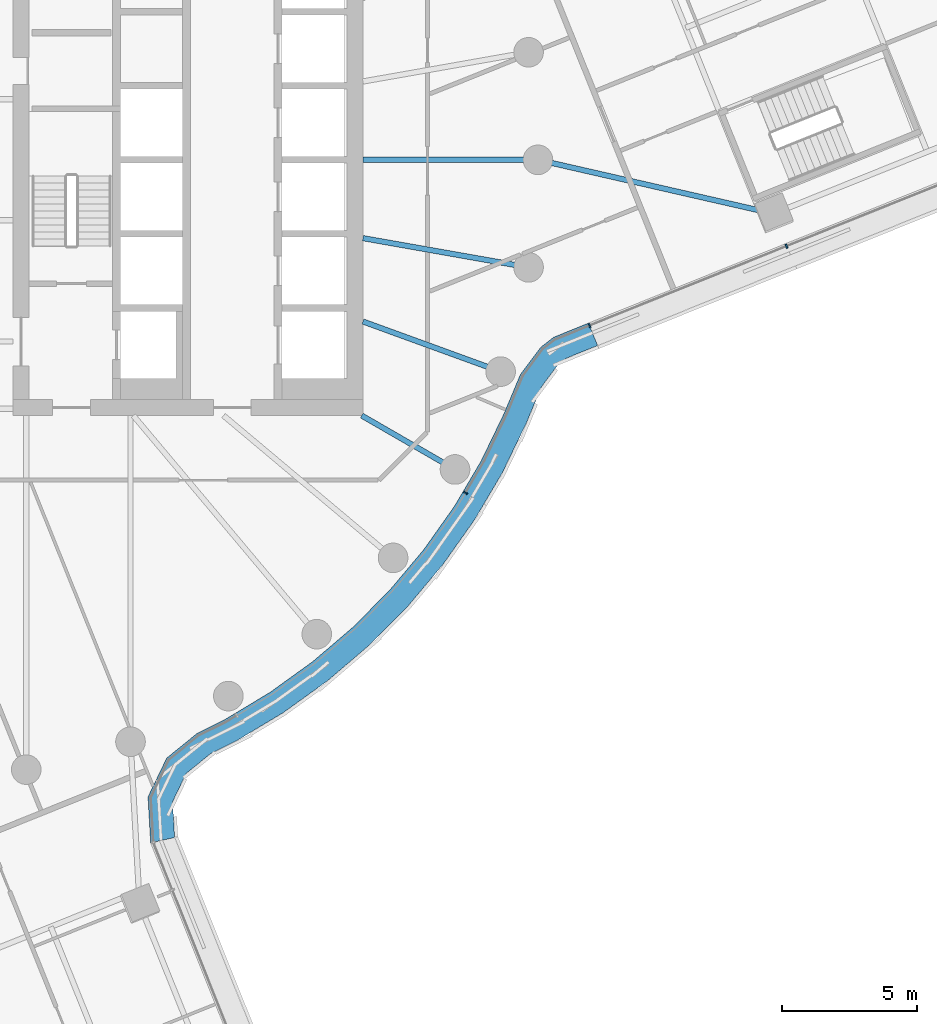
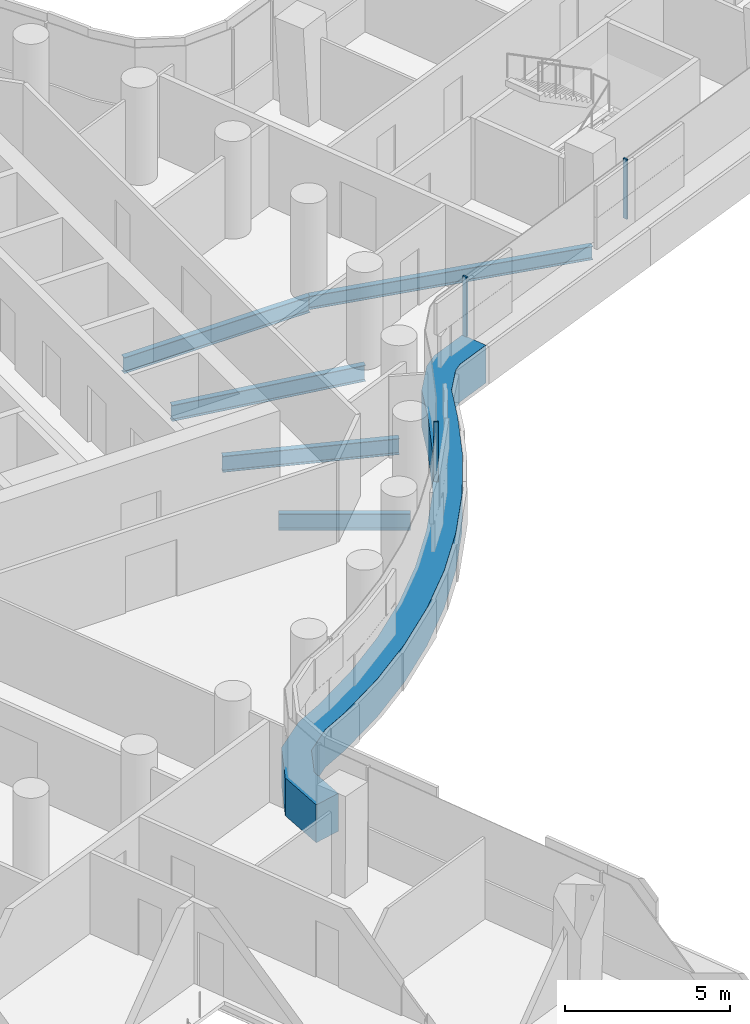
# One storey, part 10 of 32: 5 beams, 4 members, 2 elements without a shape of their own.
"""IFC4 building model written with IfcOpenShell, lengths in metres."""

from ifc_helpers import new_model, si_unit, direction, frame, origin, origin_2d, place, context, subcontext, project, spatial, polyline, rectangle, i_section, outline, extrude, material, layer, layer_set, material_profile, profile_set, type_object, element, aggregate, save


model = new_model("IFC4")

# Units and contexts
model_context = context("Model", 3, precision=1e-05, world=origin(), true_north=direction((0.0, 1.0)))
body_context = subcontext(model_context, "Body", "Model", "MODEL_VIEW")
ifc_project = project(units=[si_unit("LENGTHUNIT", "METRE"), si_unit("AREAUNIT", "SQUARE_METRE"), si_unit("VOLUMEUNIT", "CUBIC_METRE"), si_unit("PLANEANGLEUNIT", "RADIAN"), si_unit("MASSUNIT", "GRAM", prefix="KILO")], contexts=[model_context])

# Site, building, storey
site_placement = place(None, origin())
site = spatial("IfcSite", under=ifc_project, at=site_placement, CompositionType="ELEMENT")
building_placement = place(site_placement, origin())
building = spatial("IfcBuilding", under=site, at=building_placement, Name="Tamarind Cross Interchange Tower", CompositionType="ELEMENT")
storey_placement = place(building_placement, frame((0.0, 0.0, 113.5)))
storey = spatial("IfcBuildingStorey", under=building, at=storey_placement, Name="L27", CompositionType="ELEMENT", Elevation=113.5)

# Beams
ifc_material_1 = material(Name="Steel Q355B", Category="steel")
ifc_material_profile_1 = material_profile(ifc_material_1, i_section(OverallWidth=0.198974609375, OverallDepth=0.49609375, WebThickness=0.009033203125, FlangeThickness=0.013916015625, FilletRadius=0.012939453125, at=origin_2d()), Name="HN 496x199x9x14")
ifc_profile_set_1 = profile_set([ifc_material_profile_1], Name="Steel Q355B")
beam_type_1 = type_object("IfcBeamType", Name="Composite beam HN 496x199x9x14 Q355B", PredefinedType="BEAM", material=ifc_profile_set_1)
beam_1_placement = place(storey_placement, frame((31.75390625, -2.000244140625, -0.387939453125), z_axis=(-0.974874197182, 0.222756143951, 0.0), x_axis=(-0.222756143951, -0.974874197182, 0.0)))
element("IfcBeam", 1, at=beam_1_placement, inside=storey, type_object=beam_type_1, Name="Beam E-linkem", PredefinedType="BEAM", context=body_context, shape_type="SweptSolid", body=[
    extrude(i_section(OverallWidth=0.198974609375, OverallDepth=0.49609375, WebThickness=0.009033203125, FlangeThickness=0.013916015625, FilletRadius=0.012939453125, at=origin_2d()), origin(), (0.0, 0.0, 1.0), 8.9794921875),
])
ifc_material_profile_2 = material_profile(ifc_material_1, i_section(OverallWidth=0.198974609375, OverallDepth=0.595947265625, WebThickness=0.010009765625, FlangeThickness=0.014892578125, FilletRadius=0.012939453125, at=origin_2d()), Name="HN 596x199x10x15")
ifc_profile_set_2 = profile_set([ifc_material_profile_2], Name="Steel Q355B")
beam_type_2 = type_object("IfcBeamType", Name="Composite beam HN 596x199x10x15 Q355B", PredefinedType="BEAM", material=ifc_profile_set_2)
beam_2_placement = place(storey_placement, frame((23.0, 0.0, -0.43798828125), z_axis=(-1.0, 0.0, 0.0), x_axis=(0.0, -1.0, 0.0)))
element("IfcBeam", 2, at=beam_2_placement, inside=storey, type_object=beam_type_2, Name="Beam HH00", PredefinedType="BEAM", context=body_context, shape_type="SweptSolid", body=[
    extrude(i_section(OverallWidth=0.198974609375, OverallDepth=0.595947265625, WebThickness=0.010009765625, FlangeThickness=0.014892578125, FilletRadius=0.012939453125, at=origin_2d()), origin(), (0.0, 0.0, 1.0), 6.5),
])
beam_3_placement = place(storey_placement, frame((19.918701171875, -11.5, -0.43798828125), z_axis=(-0.866026010844, 0.49999894854, 0.0), x_axis=(-0.49999894854, -0.866026010844, 0.0)))
element("IfcBeam", 3, at=beam_3_placement, inside=storey, type_object=beam_type_2, Name="Beam HH33", PredefinedType="BEAM", context=body_context, shape_type="SweptSolid", body=[
    extrude(i_section(OverallWidth=0.198974609375, OverallDepth=0.595947265625, WebThickness=0.010009765625, FlangeThickness=0.014892578125, FilletRadius=0.012939453125, at=origin_2d()), origin(), (0.0, 0.0, 1.0), 4.0),
])
beam_4_placement = place(storey_placement, frame((21.613037109375, -7.866455078125, -0.43798828125), z_axis=(-0.939701685589, 0.341995236956, 0.0), x_axis=(-0.341995236956, -0.939701685589, 0.0)))
element("IfcBeam", 4, at=beam_4_placement, inside=storey, type_object=beam_type_2, Name="Beam HH34", PredefinedType="BEAM", context=body_context, shape_type="SweptSolid", body=[
    extrude(i_section(OverallWidth=0.198974609375, OverallDepth=0.595947265625, WebThickness=0.010009765625, FlangeThickness=0.014892578125, FilletRadius=0.012939453125, at=origin_2d()), origin(), (0.0, 0.0, 1.0), 5.441162109375),
])
beam_5_placement = place(storey_placement, frame((22.650634765625, -3.993896484375, -0.43798828125), z_axis=(-0.984809127561, 0.173640382036, 0.0), x_axis=(-0.173640382036, -0.984809127561, 0.0)))
element("IfcBeam", 5, at=beam_5_placement, inside=storey, type_object=beam_type_2, Name="Beam HH35", PredefinedType="BEAM", context=body_context, shape_type="SweptSolid", body=[
    extrude(i_section(OverallWidth=0.198974609375, OverallDepth=0.595947265625, WebThickness=0.010009765625, FlangeThickness=0.014892578125, FilletRadius=0.012939453125, at=origin_2d()), origin(), (0.0, 0.0, 1.0), 6.24560546875),
])

# Curtain wall, members
ifc_material_2 = material(Name="Aluminium 6063-T6", Category="aluminium")
ifc_layer = layer(ifc_material_2, 0.159912109375)
ifc_layer_set = layer_set([ifc_layer], Name="Aluminium 6063-T6")
curtain_wall_type = type_object("IfcCurtainWallType", Name="Office curtain wall, 9.0 m bays", PredefinedType="NOTDEFINED", material=ifc_layer_set)
curtain_wall_1_placement = place(storey_placement, origin())
curtain_wall_1 = element("IfcCurtainWall", 6, at=curtain_wall_1_placement, inside=storey, type_object=curtain_wall_type, Name="CWS-L27-06", PredefinedType="NOTDEFINED")
ifc_material_3 = material(Name="Aluminium and insulated spandrel panel", Category="aluminium")
member_type_1 = type_object("IfcMemberType", Name="Floor-edge blade transom", PredefinedType="USERDEFINED", material=ifc_material_3)
member_1_placement = place(storey_placement, origin())
member_1 = element("IfcMember", 7, at=member_1_placement, type_object=member_type_1, Name="CWT-L27-06", ObjectType="TRANSOM", PredefinedType="USERDEFINED", context=body_context, shape_type="SweptSolid", body=[
    extrude(outline(polyline([(8.61376953125, -25.369384765625), (8.516357421875, -23.662109375), (9.212158203125, -22.218505859375), (10.34130859375, -21.302490234375), (11.366943359375, -20.791259765625), (13.045654296875, -19.78125), (14.634521484375, -18.636474609375), (16.12353515625, -17.3642578125), (17.50244140625, -15.973388671875), (18.76171875, -14.4736328125), (19.892822265625, -12.874755859375), (20.88818359375, -11.188232421875), (21.742431640625, -9.421142578125), (22.344970703125, -7.977783203125), (23.10400390625, -6.961181640625), (23.581787109375, -6.590576171875), (24.87744140625, -6.06396484375), (25.215087890625, -6.8984375), (24.035400390625, -7.377685546875), (23.752197265625, -7.597412109375), (23.132568359375, -8.42724609375), (22.5634765625, -9.790771484375), (21.68212890625, -11.613525390625), (20.64892578125, -13.3642578125), (19.474853515625, -15.023681640625), (18.167724609375, -16.580810546875), (16.736572265625, -18.0244140625), (15.19091796875, -19.344970703125), (13.54150390625, -20.533203125), (11.800537109375, -21.580810546875), (10.831298828125, -22.063720703125), (9.935546875, -22.790771484375), (9.42822265625, -23.84326171875), (9.50390625, -25.171142578125), (8.61376953125, -25.369384765625)])), origin(), (0.0, 0.0, 1.0), 1.39990234375),
])
ifc_material_profile_3 = material_profile(ifc_material_2, rectangle(XDim=0.06005859375, YDim=0.159912109375, at=origin_2d()), Name="Mullion CW1")
ifc_profile_set_3 = profile_set([ifc_material_profile_3], Name="Aluminium 6063-T6")
member_type_2 = type_object("IfcMemberType", Name="Mullion CW1", PredefinedType="MULLION", material=ifc_profile_set_3)
member_2_placement = place(storey_placement, frame((20.309326171875, -12.36572265625, 1.39990234375), z_axis=(0.0, 0.0, 1.0), x_axis=(0.508183308752, 0.861248933065, 0.0)))
member_2 = element("IfcMember", 8, at=member_2_placement, type_object=member_type_2, Name="CWM-L27-06-02", PredefinedType="MULLION", context=body_context, shape_type="SweptSolid", body=[
    extrude(rectangle(XDim=0.06005859375, YDim=0.159912109375, at=origin_2d()), origin(), (0.0, 0.0, 1.0), 2.210205078125),
])
aggregate(curtain_wall_1, [member_2, member_1])

curtain_wall_2_placement = place(storey_placement, origin())
curtain_wall_2 = element("IfcCurtainWall", 9, at=curtain_wall_2_placement, inside=storey, type_object=curtain_wall_type, Name="CWS-L27-07", PredefinedType="NOTDEFINED")
member_3_placement = place(storey_placement, frame((24.9150390625, -6.15673828125, 1.39990234375), z_axis=(0.0, 0.0, 1.0), x_axis=(0.927001078252, 0.375058663305, 0.0)))
member_3 = element("IfcMember", 10, at=member_3_placement, type_object=member_type_2, Name="CWM-L27-07-00", PredefinedType="MULLION", context=body_context, shape_type="SweptSolid", body=[
    extrude(rectangle(XDim=0.06005859375, YDim=0.159912109375, at=origin_2d()), origin(), (0.0, 0.0, 1.0), 2.210205078125),
])
member_4_placement = place(storey_placement, frame((32.231689453125, -3.20947265625, 1.39990234375), z_axis=(0.0, 0.0, 1.0), x_axis=(0.927570416192, 0.373648394893, 0.0)))
member_4 = element("IfcMember", 11, at=member_4_placement, type_object=member_type_2, Name="CWM-L27-07-01", PredefinedType="MULLION", context=body_context, shape_type="SweptSolid", body=[
    extrude(rectangle(XDim=0.06005859375, YDim=0.159912109375, at=origin_2d()), origin(), (0.0, 0.0, 1.0), 2.210205078125),
])
aggregate(curtain_wall_2, [member_3, member_4])

save(model, "model.ifc")
